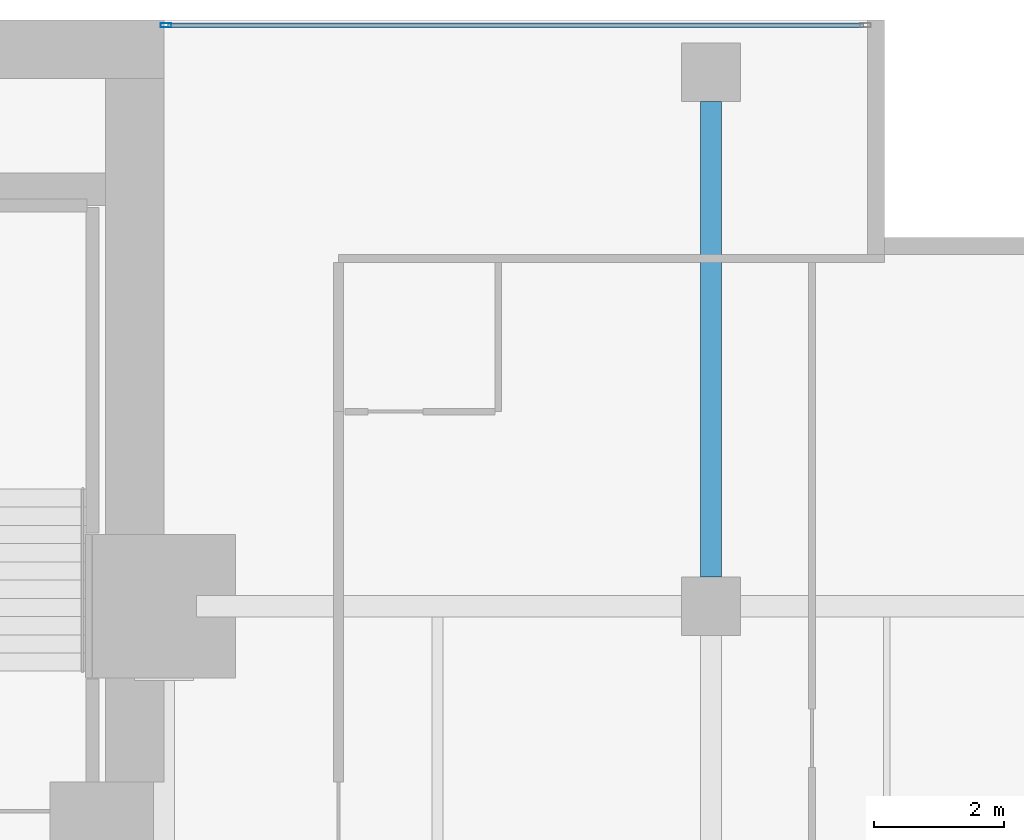
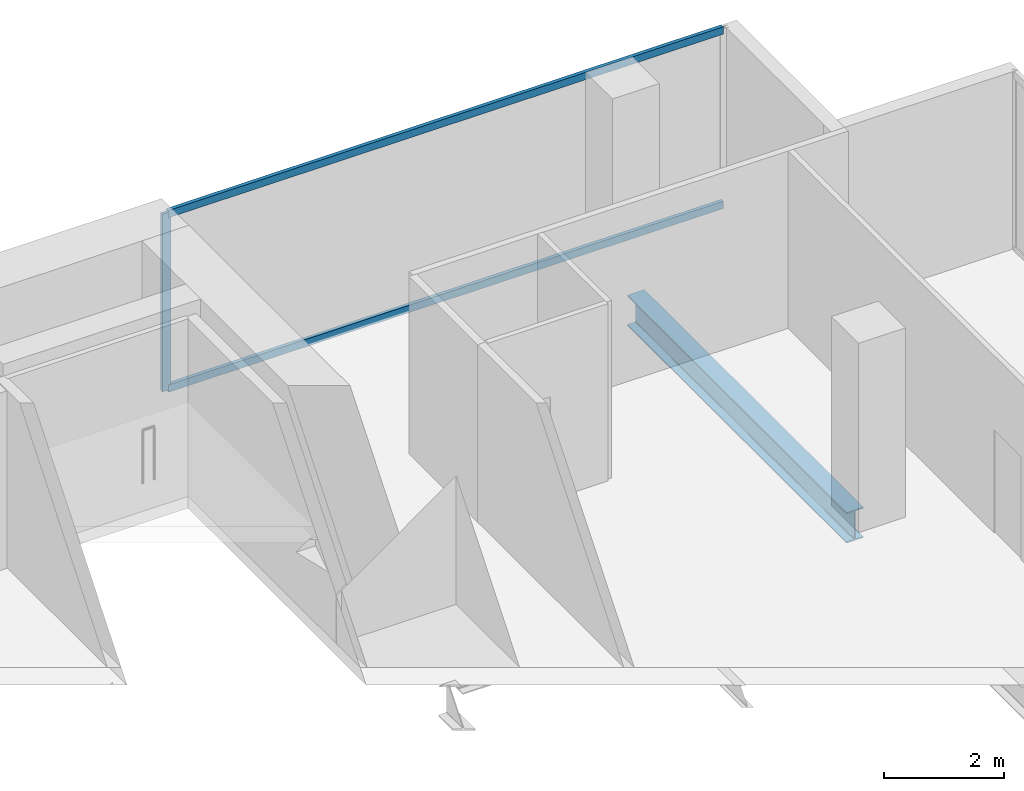
# One storey, part 30 of 39: 3 members, 1 beam, 1 element without a shape of its own.
"""IFC4 building model written with IfcOpenShell, lengths in metres."""

import ifcopenshell
import ifcopenshell.guid

model = None  # the IFC model being written
_history = None  # IfcOwnerHistory: only IFC2X3 demands one
_inside = {}  # id of a spatial element -> (the spatial element, [elements in it])
_under = {}  # id of a project, library or spatial element -> (it, [spatial elements below it])
_declared = {}  # id of a project -> (the project, [libraries it declares])
_typed = {}  # id of a type object -> (the type object, [elements of that type])
_made_of = {}  # id of a material, layer set ... -> (it, [elements and type objects made of it])


def new_model(schema):
    """Start an empty IFC model of exactly this schema.

    Asked for "IFC4X3", IfcOpenShell would pick the latest addendum, in which some entities
    have other attributes; the version numbers below select the first issue.
    IFC2X3 requires an IfcOwnerHistory on every rooted entity: one is made here for all.
    """
    global model, _history
    if schema == "IFC4X3":
        model = ifcopenshell.file(schema_version=(4, 3, 0, 0))
    else:
        model = ifcopenshell.file(schema=schema)
    _inside.clear()
    _under.clear()
    _declared.clear()
    _typed.clear()
    _made_of.clear()
    _history = None
    if model.schema == "IFC2X3":
        org = make("IfcOrganization", Name="unknown")
        user = make(
            "IfcPersonAndOrganization",
            ThePerson=make("IfcPerson", FamilyName="unknown"),
            TheOrganization=org,
        )
        app = make(
            "IfcApplication",
            ApplicationDeveloper=org,
            Version="unknown",
            ApplicationFullName="unknown",
            ApplicationIdentifier="unknown",
        )
        _history = make(
            "IfcOwnerHistory",
            OwningUser=user,
            OwningApplication=app,
            ChangeAction="ADDED",
            CreationDate=0,
        )
    return model


def make(cls, **values):
    """One entity of the class cls with the attributes given. An attribute that is None is left unset."""
    return model.create_entity(
        cls, **{name: value for name, value in values.items() if value is not None}
    )


def rooted(cls, **values):
    """An entity with a GlobalId (a new one), such as an element, a storey or a relation."""
    return make(cls, GlobalId=ifcopenshell.guid.new(), OwnerHistory=_history, **values)


def si_unit(unit_type, name, prefix=None):
    """IfcSIUnit, for example si_unit("LENGTHUNIT", "METRE", prefix="MILLI")."""
    return make("IfcSIUnit", UnitType=unit_type, Prefix=prefix, Name=name)


def assignment(units):
    """IfcUnitAssignment: the units of a project."""
    return None if units is None else make("IfcUnitAssignment", Units=units)


def point(xyz):
    """IfcCartesianPoint."""
    return None if xyz is None else make("IfcCartesianPoint", Coordinates=xyz)


def direction(xyz):
    """IfcDirection."""
    return None if xyz is None else make("IfcDirection", DirectionRatios=xyz)


def frame(location, z_axis=None, x_axis=None):
    """IfcAxis2Placement3D, a coordinate frame: its origin and axes. An axis left out is left unset."""
    return make(
        "IfcAxis2Placement3D",
        Location=point(location),
        Axis=direction(z_axis),
        RefDirection=direction(x_axis),
    )


def frame_2d(location, x_axis=None):
    """IfcAxis2Placement2D, a coordinate frame in the plane: its origin and x axis."""
    return make(
        "IfcAxis2Placement2D", Location=point(location), RefDirection=direction(x_axis)
    )


def origin():
    """The frame at (0, 0, 0) with its axes left unset."""
    return frame((0.0, 0.0, 0.0))


def origin_2d():
    """The frame at (0, 0) in the plane with its x axis left unset."""
    return frame_2d((0.0, 0.0))


def place(relative_to, where):
    """IfcLocalPlacement: puts the frame where relative to a parent placement (None: the world)."""
    return make(
        "IfcLocalPlacement", PlacementRelTo=relative_to, RelativePlacement=where
    )


def context(
    kind, dimensions, precision=None, world=None, true_north=None, identifier=None
):
    """IfcGeometricRepresentationContext, for example the 3D "Model" context."""
    return make(
        "IfcGeometricRepresentationContext",
        ContextIdentifier=identifier,
        ContextType=kind,
        CoordinateSpaceDimension=dimensions,
        Precision=precision,
        WorldCoordinateSystem=world,
        TrueNorth=true_north,
    )


def subcontext(parent, identifier, kind, view, scale=None):
    """IfcGeometricRepresentationSubContext, for example "Body" below "Model"."""
    return make(
        "IfcGeometricRepresentationSubContext",
        ContextIdentifier=identifier,
        ContextType=kind,
        ParentContext=parent,
        TargetScale=scale,
        TargetView=view,
    )


def project(units=None, contexts=None):
    """IfcProject with its units and contexts."""
    return rooted(
        "IfcProject",
        Name="project",
        RepresentationContexts=contexts,
        UnitsInContext=assignment(units),
    )


def spatial(cls, under=None, at=None, **own):
    """A site, building, storey or space (cls), placed at a placement, below another one or the project."""
    s = rooted(cls, ObjectPlacement=at, **own)
    if under is not None:
        _under.setdefault(under.id(), (under, []))[1].append(s)
    return s


def profile(cls, at=None, kind="AREA", **sizes):
    """A parametric profile (cls). Its sizes go by their IFC names, for example OverallWidth=200.0."""
    return make(cls, ProfileType=kind, Position=at, **sizes)


def hollow_rectangle(**sizes):
    """IfcRectangleHollowProfileDef."""
    return profile("IfcRectangleHollowProfileDef", **sizes)


def i_section(**sizes):
    """IfcIShapeProfileDef."""
    return profile("IfcIShapeProfileDef", **sizes)


def extrude(swept, where, along, depth):
    """IfcExtrudedAreaSolid: the profile swept, set in the frame where, extruded along a direction by depth."""
    return make(
        "IfcExtrudedAreaSolid",
        SweptArea=swept,
        Position=where,
        ExtrudedDirection=direction(along),
        Depth=depth,
    )


def shape(context_of_items, identifier, shape_type, items):
    """IfcShapeRepresentation: the items that make up one representation, for example the "Body"."""
    return make(
        "IfcShapeRepresentation",
        ContextOfItems=context_of_items,
        RepresentationIdentifier=identifier,
        RepresentationType=shape_type,
        Items=items,
    )


def material(Name=None, Category=None):
    """IfcMaterial."""
    return make("IfcMaterial", Name=Name, Category=Category)


def layer(
    of_material, thickness, ventilated=None, Name=None, Category=None, Priority=None
):
    """IfcMaterialLayer: one layer of a wall or slab, of a material (None: an air gap)."""
    return make(
        "IfcMaterialLayer",
        Material=of_material,
        LayerThickness=thickness,
        IsVentilated=ventilated,
        Name=Name,
        Category=Category,
        Priority=Priority,
    )


def layer_set(layers, Name=None):
    """IfcMaterialLayerSet."""
    return make("IfcMaterialLayerSet", MaterialLayers=layers, LayerSetName=Name)


def material_profile(
    of_material, cross_section, Name=None, Category=None, Priority=None
):
    """IfcMaterialProfile: a cross section and its material."""
    return make(
        "IfcMaterialProfile",
        Name=Name,
        Material=of_material,
        Profile=cross_section,
        Priority=Priority,
        Category=Category,
    )


def profile_set(profiles, Name=None, composite=None):
    """IfcMaterialProfileSet."""
    return make(
        "IfcMaterialProfileSet",
        Name=Name,
        MaterialProfiles=profiles,
        CompositeProfile=composite,
    )


def made_of(thing, what):
    """Note that an element or type object is made of a material, layer set ...; save() writes the relation."""
    if what is not None:
        _made_of.setdefault(what.id(), (what, []))[1].append(thing)
    return thing


def type_object(cls, material=None, **own):
    """A type object (cls), such as IfcWallType, which elements share."""
    return made_of(rooted(cls, **own), material)


def element(
    cls,
    number,
    at=None,
    inside=None,
    cuts=None,
    type_object=None,
    material=None,
    context=None,
    identifier="Body",
    shape_type=None,
    held_by="IfcProductDefinitionShape",
    body=None,
    shapes=None,
    **own,
):
    """One element of the class cls, such as IfcWall. Its Tag is "e" and its number.

    at: its placement. inside: the storey or other place that contains it. cuts: it is an
    opening in that element (IfcRelVoidsElement). A single representation is given by context,
    identifier, shape_type and body (its items); several are given by shapes. held_by: the class
    of the entity that holds the representations. save() writes the other relations.
    """
    e = rooted(cls, Tag="e%d" % number, ObjectPlacement=at, **own)
    if body is not None:
        shapes = [shape(context, identifier, shape_type, body)]
    if shapes is not None:
        e.Representation = make(held_by, Representations=shapes)
    if inside is not None:
        _inside.setdefault(inside.id(), (inside, []))[1].append(e)
    if cuts is not None:
        rooted(
            "IfcRelVoidsElement", RelatingBuildingElement=cuts, RelatedOpeningElement=e
        )
    if type_object is not None:
        _typed.setdefault(type_object.id(), (type_object, []))[1].append(e)
    return made_of(e, material)


def aggregate(whole, parts):
    """IfcRelAggregates: a whole, such as a stair, and the parts it consists of."""
    return rooted("IfcRelAggregates", RelatingObject=whole, RelatedObjects=parts)


def save(model, path):
    """Write the relations noted so far, then the file.

    IfcRelAggregates (storeys below a building ...), IfcRelContainedInSpatialStructure (elements
    in a storey), IfcRelDefinesByType, IfcRelAssociatesMaterial and IfcRelDeclares: one each for
    every whole, place, type object, material and project.
    """
    for whole, parts in _under.values():
        aggregate(whole, parts)
    for where, things in _inside.values():
        rooted(
            "IfcRelContainedInSpatialStructure",
            RelatedElements=things,
            RelatingStructure=where,
        )
    for kind, things in _typed.values():
        rooted("IfcRelDefinesByType", RelatedObjects=things, RelatingType=kind)
    for what, things in _made_of.values():
        rooted("IfcRelAssociatesMaterial", RelatedObjects=things, RelatingMaterial=what)
    for by, libraries in _declared.values():
        rooted("IfcRelDeclares", RelatingContext=by, RelatedDefinitions=libraries)
    model.write(path)


model = new_model("IFC4")

# Units and contexts
model_context = context("Model", 3, precision=1e-05, world=origin(), true_north=direction((0.0, 1.0)))
body_context = subcontext(model_context, "Body", "Model", "MODEL_VIEW")
ifc_project = project(units=[si_unit("LENGTHUNIT", "METRE"), si_unit("AREAUNIT", "SQUARE_METRE"), si_unit("VOLUMEUNIT", "CUBIC_METRE"), si_unit("PLANEANGLEUNIT", "RADIAN"), si_unit("MASSUNIT", "GRAM", prefix="KILO")], contexts=[model_context])

# Site, building, storey
site_placement = place(None, origin())
site = spatial("IfcSite", under=ifc_project, at=site_placement, CompositionType="ELEMENT")
building_placement = place(site_placement, origin())
building = spatial("IfcBuilding", under=site, at=building_placement, Name="Maruvema Waterfront Hotel and Observation Tower", CompositionType="ELEMENT")
storey_placement = place(building_placement, frame((0.0, 0.0, 65.449951171875)))
storey = spatial("IfcBuildingStorey", under=building, at=storey_placement, Name="L15", CompositionType="ELEMENT", Elevation=65.449951171875)

# Curtain wall, members
ifc_material_1 = material(Name="Anodised bronze aluminium and solar-control low-E IGU", Category="aluminium")
ifc_layer = layer(ifc_material_1, 0.159912109375, Name="Zone 1 Bronze Inner Thermal Curtain Wall System CW-02")
ifc_layer_set = layer_set([ifc_layer], Name="Anodised bronze aluminium and solar-control low-E IGU")
curtain_wall_type = type_object("IfcCurtainWallType", Name="Zone 1 Bronze Inner Thermal Curtain Wall System CW-02", PredefinedType="USERDEFINED", material=ifc_layer_set)
curtain_wall_placement = place(storey_placement, origin())
curtain_wall = element("IfcCurtainWall", 1, at=curtain_wall_placement, inside=storey, type_object=curtain_wall_type, Name="L15 Curtain Wall CW-L15-NE", ObjectType="UNITISED CURTAIN WALL", PredefinedType="USERDEFINED")
ifc_material_2 = material(Name="Anodised architectural bronze aluminium", Category="aluminium")
ifc_material_profile_1 = material_profile(ifc_material_2, hollow_rectangle(XDim=0.070068359375, YDim=0.14990234375, WallThickness=0.00390625, at=origin_2d()), Name="ALU-T70x150")
ifc_profile_set_1 = profile_set([ifc_material_profile_1], Name="Anodised architectural bronze aluminium")
member_type_1 = type_object("IfcMemberType", Name="Curtain Wall Horizontal Transom ALU-T70x150", PredefinedType="USERDEFINED", material=ifc_profile_set_1)
member_1_placement = place(storey_placement, frame((61.139892578125, 53.919921875, 0.030029296875), z_axis=(-1.0, 0.0, 0.0), x_axis=(0.0, -1.0, 0.0)))
member_1 = element("IfcMember", 2, at=member_1_placement, type_object=member_type_1, Name="CW-02 transom 1.1", ObjectType="TRANSOM", PredefinedType="USERDEFINED", context=body_context, shape_type="SweptSolid", body=[
    extrude(hollow_rectangle(XDim=0.070068359375, YDim=0.14990234375, WallThickness=0.00390625, at=origin_2d()), origin(), (0.0, 0.0, 1.0), 10.679931640625),
])
member_2_placement = place(storey_placement, frame((61.139892578125, 53.919921875, 3.580078125), z_axis=(-1.0, 0.0, 0.0), x_axis=(0.0, -1.0, 0.0)))
member_2 = element("IfcMember", 3, at=member_2_placement, type_object=member_type_1, Name="CW-02 transom 1.2", ObjectType="TRANSOM", PredefinedType="USERDEFINED", context=body_context, shape_type="SweptSolid", body=[
    extrude(hollow_rectangle(XDim=0.070068359375, YDim=0.14990234375, WallThickness=0.00390625, at=origin_2d()), origin(), (0.0, 0.0, 1.0), 10.679931640625),
])
ifc_material_3 = material(Name="Anodised architectural bronze aluminium", Category="aluminium")
ifc_material_profile_2 = material_profile(ifc_material_3, hollow_rectangle(XDim=0.06494140625, YDim=0.1650390625, WallThickness=0.00390625, at=origin_2d()), Name="ALU-M65x165")
ifc_profile_set_2 = profile_set([ifc_material_profile_2], Name="Anodised architectural bronze aluminium")
member_type_2 = type_object("IfcMemberType", Name="Curtain Wall Primary Mullion ALU-M65x165", PredefinedType="MULLION", material=ifc_profile_set_2)
member_3_placement = place(storey_placement, frame((50.429931640625, 53.919921875, 0.0), z_axis=(0.0, 0.0, 1.0), x_axis=(0.0, -1.0, 0.0)))
member_3 = element("IfcMember", 4, at=member_3_placement, type_object=member_type_2, Name="CW-02 mullion 2", PredefinedType="MULLION", context=body_context, shape_type="SweptSolid", body=[
    extrude(hollow_rectangle(XDim=0.06494140625, YDim=0.1650390625, WallThickness=0.00390625, at=origin_2d()), origin(), (0.0, 0.0, 1.0), 3.610107421875),
])
aggregate(curtain_wall, [member_3, member_1, member_2])

# Beam
ifc_material_4 = material(Name="Steel ASTM A572 Grade 50", Category="steel")
ifc_material_profile_3 = material_profile(ifc_material_4, i_section(OverallWidth=0.326904296875, OverallDepth=0.6220703125, WebThickness=0.015380859375, FlangeThickness=0.0244140625, FilletRadius=0.01806640625, at=origin_2d()), Name="W610x195.0")
ifc_profile_set_3 = profile_set([ifc_material_profile_3], Name="Steel ASTM A572 Grade 50")
beam_type = type_object("IfcBeamType", Name="Primary Floor Girder W610x195.0", PredefinedType="BEAM", material=ifc_profile_set_3)
beam_placement = place(storey_placement, frame((58.800048828125, 45.449951171875, -0.551025390625), z_axis=(0.0, 1.0, 0.0), x_axis=(-1.0, 0.0, 0.0)))
element("IfcBeam", 5, at=beam_placement, inside=storey, type_object=beam_type, Name="L15 Floor Girder NS-32", PredefinedType="BEAM", context=body_context, shape_type="SweptSolid", body=[
    extrude(i_section(OverallWidth=0.326904296875, OverallDepth=0.6220703125, WebThickness=0.015380859375, FlangeThickness=0.0244140625, FilletRadius=0.01806640625, at=origin_2d()), origin(), (0.0, 0.0, 1.0), 7.300048828125),
])

save(model, "model.ifc")
